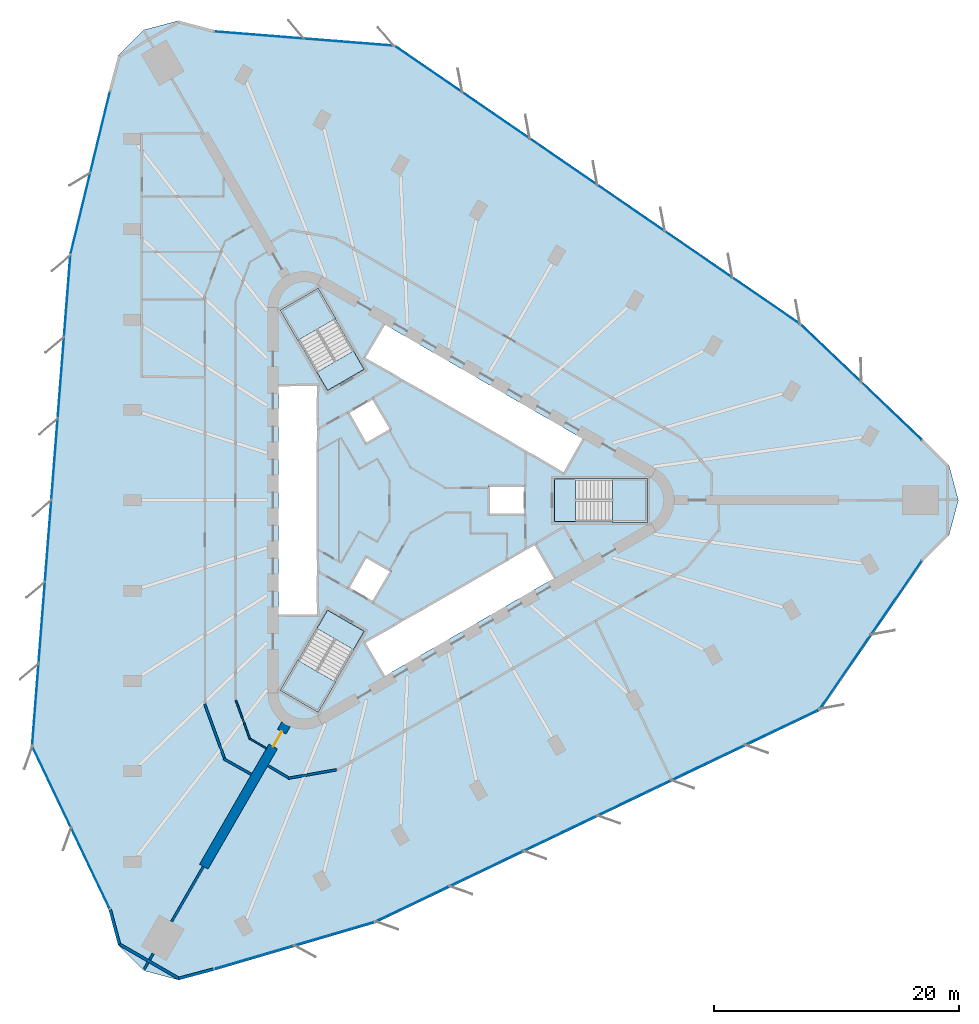
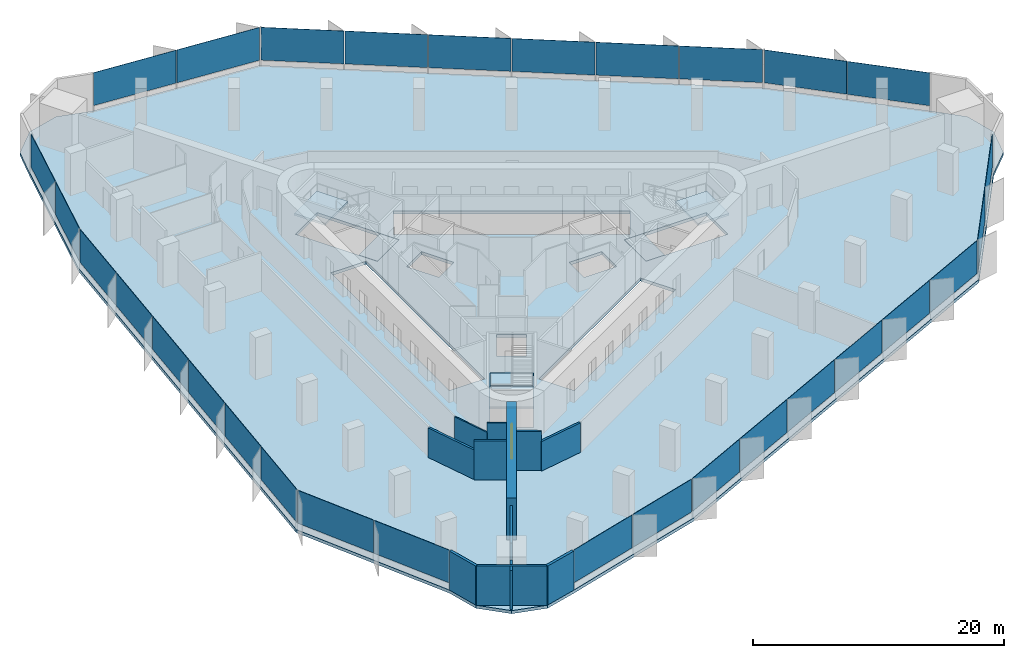
# One storey, part 8 of 14: 30 plates, 13 walls, 7 slabs, 1 door, 1 opening, 12 elements without a shape of their own.
"""IFC4 building model written with IfcOpenShell, lengths in metres."""

from ifc_helpers import new_model, si_unit, direction, frame, frame_2d, origin, origin_2d, place, context, subcontext, project, spatial, polyline, rectangle, outline, extrude, material, layer, layer_set, type_object, element, fill, aggregate, save


model = new_model("IFC4")

# Units and contexts
model_context = context("Model", 3, precision=1e-05, world=origin(), true_north=direction((0.0, 1.0)))
body_context = subcontext(model_context, "Body", "Model", "MODEL_VIEW")
ifc_project = project(units=[si_unit("LENGTHUNIT", "METRE"), si_unit("AREAUNIT", "SQUARE_METRE"), si_unit("VOLUMEUNIT", "CUBIC_METRE"), si_unit("PLANEANGLEUNIT", "RADIAN"), si_unit("MASSUNIT", "GRAM", prefix="KILO")], contexts=[model_context])

# Site, building, storey
site_placement = place(None, origin())
site = spatial("IfcSite", under=ifc_project, at=site_placement, CompositionType="ELEMENT")
building_placement = place(site_placement, origin())
building = spatial("IfcBuilding", under=site, at=building_placement, Name="Tanit Gate Tower", CompositionType="ELEMENT")
storey_placement = place(building_placement, frame((0.0, 0.0, 90.60009765625)))
storey = spatial("IfcBuildingStorey", under=building, at=storey_placement, Name="L18", CompositionType="ELEMENT", Elevation=90.60009765625)

# Slab
ifc_material_1 = material(Name="Concrete C35/45", Category="concrete")
ifc_layer_1 = layer(ifc_material_1, 0.300048828125)
ifc_layer_set_1 = layer_set([ifc_layer_1], Name="FLOOR SLAB 300 C35/45")
slab_type_1 = type_object("IfcSlabType", Name="FLOOR SLAB 300 C35/45", PredefinedType="FLOOR", material=ifc_layer_set_1)
slab_1_placement = place(storey_placement, frame((0.0, 0.0, -0.300048828125)))
element("IfcSlab", 1, at=slab_1_placement, inside=storey, type_object=slab_type_1, Name="FLOOR SLAB L18", PredefinedType="FLOOR", context=body_context, shape_type="SweptSolid", body=[
    extrude(outline(polyline([(41.55078125, 4.966796875), (43.64990234375, 2.86767578125), (44.41845703125, 0.0), (43.64990234375, -2.86767578125), (41.55078125, -4.966796875), (33.13671875, -17.19384765625), (-3.24462890625, -34.580810546875), (-16.473876953125, -38.46728515625), (-19.341552734375, -39.23583984375), (-22.209228515625, -38.46728515625), (-24.308349609375, -36.3681640625), (-25.076904296875, -33.50048828125), (-31.458740234375, -20.100341796875), (-28.32568359375, 20.100341796875), (-25.076904296875, 33.50048828125), (-24.308349609375, 36.3681640625), (-22.209228515625, 38.46728515625), (-19.341552734375, 39.23583984375), (-16.473876953125, 38.46728515625), (-1.677978515625, 37.294189453125), (31.5703125, 14.48046875), (41.55078125, 4.966796875)]), holes=[polyline([(11.3701171875, 1.72998046875), (18.929931640625, 1.72998046875), (18.929931640625, -1.72998046875), (11.3701171875, -1.72998046875), (11.3701171875, 1.72998046875)]), polyline([(-4.208984375, 11.60986328125), (-2.583984375, 14.424560546875), (13.783935546875, 4.974609375), (12.158935546875, 2.159912109375), (-4.208984375, 11.60986328125)]), polyline([(-4.208984375, -11.60986328125), (9.82080078125, -3.510009765625), (11.44580078125, -6.324462890625), (-2.583984375, -14.424560546875), (-4.208984375, -11.60986328125)]), polyline([(9.0, 1.199951171875), (9.0, -1.199951171875), (6.0, -1.199951171875), (6.0, 1.199951171875), (9.0, 1.199951171875)]), polyline([(-5.539306640625, 7.194091796875), (-3.460693359375, 8.394287109375), (-1.960693359375, 5.796142578125), (-4.039306640625, 4.59619140625), (-5.539306640625, 7.194091796875)]), polyline([(-1.960693359375, -5.796142578125), (-3.460693359375, -8.394287109375), (-5.539306640625, -7.194091796875), (-4.039306640625, -4.59619140625), (-1.960693359375, -5.796142578125)]), polyline([(-10.963134765625, 15.52880859375), (-7.966796875, 17.2587890625), (-4.186767578125, 10.711669921875), (-7.18310546875, 8.981689453125), (-10.963134765625, 15.52880859375)]), polyline([(-4.186767578125, -10.711669921875), (-7.966796875, -17.2587890625), (-10.963134765625, -15.52880859375), (-7.18310546875, -8.981689453125), (-4.186767578125, -10.711669921875)]), polyline([(-11.199951171875, -9.449951171875), (-11.199951171875, 9.449951171875), (-7.949951171875, 9.449951171875), (-7.949951171875, -9.449951171875), (-11.199951171875, -9.449951171875)])]), origin(), (0.0, 0.0, 1.0), 0.300048828125),
])

# Curtain wall, plates
ifc_material_2 = material(Name="Aluminium bronze anodised and glass", Category="aluminium")
curtain_wall_type = type_object("IfcCurtainWallType", Name="Curtain wall typical low", PredefinedType="NOTDEFINED", material=ifc_material_2)
curtain_wall_1_placement = place(storey_placement, origin())
curtain_wall_1 = element("IfcCurtainWall", 2, at=curtain_wall_1_placement, inside=storey, type_object=curtain_wall_type, Name="Curtain wall L18 NE1", PredefinedType="NOTDEFINED")
ifc_material_3 = material(Name="Glass tinted", Category="glass")
ifc_layer_2 = layer(ifc_material_3, 0.031982421875)
ifc_layer_set_2 = layer_set([ifc_layer_2], Name="Glass panel 32 typical low")
plate_type = type_object("IfcPlateType", Name="Glass panel 32 typical low", PredefinedType="CURTAIN_PANEL", material=ifc_layer_set_2)
plate_1_placement = place(storey_placement, frame((38.959228515625, 7.271240234375, 0.60009765625), z_axis=(0.0, 0.0, 1.0), x_axis=(-0.723833901773, 0.689974262306, 0.0)))
plate_1 = element("IfcPlate", 3, at=plate_1_placement, type_object=plate_type, Name="Glass panel L18 NE1.1", PredefinedType="CURTAIN_PANEL", context=body_context, shape_type="SweptSolid", body=[
    extrude(rectangle(XDim=6.768798828125, YDim=0.031982421875, at=origin_2d()), origin(), (0.0, 0.0, 1.0), 3.199951171875),
])
plate_2_placement = place(storey_placement, frame((34.001953125, 11.996826171875, 0.60009765625), z_axis=(0.0, 0.0, 1.0), x_axis=(-0.723833901773, 0.689974262306, 0.0)))
plate_2 = element("IfcPlate", 4, at=plate_2_placement, type_object=plate_type, Name="Glass panel L18 NE1.2", PredefinedType="CURTAIN_PANEL", context=body_context, shape_type="SweptSolid", body=[
    extrude(rectangle(XDim=6.768798828125, YDim=0.031982421875, at=origin_2d()), origin(), (0.0, 0.0, 1.0), 3.199951171875),
])
aggregate(curtain_wall_1, [plate_1, plate_2])

curtain_wall_2_placement = place(storey_placement, origin())
curtain_wall_2 = element("IfcCurtainWall", 5, at=curtain_wall_2_placement, inside=storey, type_object=curtain_wall_type, Name="Curtain wall L18 NE2", PredefinedType="NOTDEFINED")
plate_3_placement = place(storey_placement, frame((28.698974609375, 16.304931640625, 0.60009765625), z_axis=(0.0, 0.0, 1.0), x_axis=(-0.824556572821, 0.565779513784, 0.0)))
plate_3 = element("IfcPlate", 6, at=plate_3_placement, type_object=plate_type, Name="Glass panel L18 NE2.1", PredefinedType="CURTAIN_PANEL", context=body_context, shape_type="SweptSolid", body=[
    extrude(rectangle(XDim=6.6201171875, YDim=0.031982421875, at=origin_2d()), origin(), (0.0, 0.0, 1.0), 3.199951171875),
])
plate_4_placement = place(storey_placement, frame((23.17431640625, 20.095947265625, 0.60009765625), z_axis=(0.0, 0.0, 1.0), x_axis=(-0.824556572821, 0.565779513784, 0.0)))
plate_4 = element("IfcPlate", 7, at=plate_4_placement, type_object=plate_type, Name="Glass panel L18 NE2.2", PredefinedType="CURTAIN_PANEL", context=body_context, shape_type="SweptSolid", body=[
    extrude(rectangle(XDim=6.6201171875, YDim=0.031982421875, at=origin_2d()), origin(), (0.0, 0.0, 1.0), 3.199951171875),
])
plate_5_placement = place(storey_placement, frame((17.64990234375, 23.88671875, 0.60009765625), z_axis=(0.0, 0.0, 1.0), x_axis=(-0.824556572821, 0.565779513784, 0.0)))
plate_5 = element("IfcPlate", 8, at=plate_5_placement, type_object=plate_type, Name="Glass panel L18 NE2.3", PredefinedType="CURTAIN_PANEL", context=body_context, shape_type="SweptSolid", body=[
    extrude(rectangle(XDim=6.6201171875, YDim=0.031982421875, at=origin_2d()), origin(), (0.0, 0.0, 1.0), 3.199951171875),
])
plate_6_placement = place(storey_placement, frame((12.125244140625, 27.677490234375, 0.60009765625), z_axis=(0.0, 0.0, 1.0), x_axis=(-0.824556572821, 0.565779513784, 0.0)))
plate_6 = element("IfcPlate", 9, at=plate_6_placement, type_object=plate_type, Name="Glass panel L18 NE2.4", PredefinedType="CURTAIN_PANEL", context=body_context, shape_type="SweptSolid", body=[
    extrude(rectangle(XDim=6.6201171875, YDim=0.031982421875, at=origin_2d()), origin(), (0.0, 0.0, 1.0), 3.199951171875),
])
plate_7_placement = place(storey_placement, frame((6.6005859375, 31.46826171875, 0.60009765625), z_axis=(0.0, 0.0, 1.0), x_axis=(-0.824556572821, 0.565779513784, 0.0)))
plate_7 = element("IfcPlate", 10, at=plate_7_placement, type_object=plate_type, Name="Glass panel L18 NE2.5", PredefinedType="CURTAIN_PANEL", context=body_context, shape_type="SweptSolid", body=[
    extrude(rectangle(XDim=6.6201171875, YDim=0.031982421875, at=origin_2d()), origin(), (0.0, 0.0, 1.0), 3.199951171875),
])
plate_8_placement = place(storey_placement, frame((1.075927734375, 35.259033203125, 0.60009765625), z_axis=(0.0, 0.0, 1.0), x_axis=(-0.824556572821, 0.565779513784, 0.0)))
plate_8 = element("IfcPlate", 11, at=plate_8_placement, type_object=plate_type, Name="Glass panel L18 NE2.6", PredefinedType="CURTAIN_PANEL", context=body_context, shape_type="SweptSolid", body=[
    extrude(rectangle(XDim=6.6201171875, YDim=0.031982421875, at=origin_2d()), origin(), (0.0, 0.0, 1.0), 3.199951171875),
])
aggregate(curtain_wall_2, [plate_3, plate_4, plate_5, plate_6, plate_7, plate_8])

curtain_wall_3_placement = place(storey_placement, origin())
curtain_wall_3 = element("IfcCurtainWall", 12, at=curtain_wall_3_placement, inside=storey, type_object=curtain_wall_type, Name="Curtain wall L18 NE3", PredefinedType="NOTDEFINED")
plate_9_placement = place(storey_placement, frame((-5.43310546875, 37.4716796875, 0.60009765625), z_axis=(0.0, 0.0, 1.0), x_axis=(-0.99687105921, 0.079044868964, 0.0)))
plate_9 = element("IfcPlate", 13, at=plate_9_placement, type_object=plate_type, Name="Glass panel L18 NE3.1", PredefinedType="CURTAIN_PANEL", context=body_context, shape_type="SweptSolid", body=[
    extrude(rectangle(XDim=7.29052734375, YDim=0.031982421875, at=origin_2d()), origin(), (0.0, 0.0, 1.0), 3.199951171875),
])
plate_10_placement = place(storey_placement, frame((-12.78076171875, 38.05419921875, 0.60009765625), z_axis=(0.0, 0.0, 1.0), x_axis=(-0.99687105921, 0.079044868964, 0.0)))
plate_10 = element("IfcPlate", 14, at=plate_10_placement, type_object=plate_type, Name="Glass panel L18 NE3.2", PredefinedType="CURTAIN_PANEL", context=body_context, shape_type="SweptSolid", body=[
    extrude(rectangle(XDim=7.290771484375, YDim=0.031982421875, at=origin_2d()), origin(), (0.0, 0.0, 1.0), 3.199951171875),
])
aggregate(curtain_wall_3, [plate_9, plate_10])

curtain_wall_4_placement = place(storey_placement, origin())
curtain_wall_4 = element("IfcCurtainWall", 15, at=curtain_wall_4_placement, inside=storey, type_object=curtain_wall_type, Name="Curtain wall L18 W1", PredefinedType="NOTDEFINED")
plate_11_placement = place(storey_placement, frame((-25.77685546875, 30.10400390625, 0.60009765625), z_axis=(0.0, 0.0, 1.0), x_axis=(-0.235618288228, -0.971845678209, 0.0)))
plate_11 = element("IfcPlate", 16, at=plate_11_placement, type_object=plate_type, Name="Glass panel L18 W1.1", PredefinedType="CURTAIN_PANEL", context=body_context, shape_type="SweptSolid", body=[
    extrude(rectangle(XDim=6.768798828125, YDim=0.031982421875, at=origin_2d()), origin(), (0.0, 0.0, 1.0), 3.199951171875),
])
plate_12_placement = place(storey_placement, frame((-27.390380859375, 23.4482421875, 0.60009765625), z_axis=(0.0, 0.0, 1.0), x_axis=(-0.235618288228, -0.971845678209, 0.0)))
plate_12 = element("IfcPlate", 17, at=plate_12_placement, type_object=plate_type, Name="Glass panel L18 W1.2", PredefinedType="CURTAIN_PANEL", context=body_context, shape_type="SweptSolid", body=[
    extrude(rectangle(XDim=6.768798828125, YDim=0.031982421875, at=origin_2d()), origin(), (0.0, 0.0, 1.0), 3.199951171875),
])
aggregate(curtain_wall_4, [plate_11, plate_12])

curtain_wall_5_placement = place(storey_placement, origin())
curtain_wall_5 = element("IfcCurtainWall", 18, at=curtain_wall_5_placement, inside=storey, type_object=curtain_wall_type, Name="Curtain wall L18 W2", PredefinedType="NOTDEFINED")
plate_13_placement = place(storey_placement, frame((-28.47021484375, 16.70166015625, 0.60009765625), z_axis=(0.0, 0.0, 1.0), x_axis=(-0.077701145467, -0.996976695812, 0.0)))
plate_13 = element("IfcPlate", 19, at=plate_13_placement, type_object=plate_type, Name="Glass panel L18 W2.1", PredefinedType="CURTAIN_PANEL", context=body_context, shape_type="SweptSolid", body=[
    extrude(rectangle(XDim=6.6201171875, YDim=0.031982421875, at=origin_2d()), origin(), (0.0, 0.0, 1.0), 3.199951171875),
])
plate_14_placement = place(storey_placement, frame((-28.99072265625, 10.021728515625, 0.60009765625), z_axis=(0.0, 0.0, 1.0), x_axis=(-0.077701145467, -0.996976695812, 0.0)))
plate_14 = element("IfcPlate", 20, at=plate_14_placement, type_object=plate_type, Name="Glass panel L18 W2.2", PredefinedType="CURTAIN_PANEL", context=body_context, shape_type="SweptSolid", body=[
    extrude(rectangle(XDim=6.6201171875, YDim=0.031982421875, at=origin_2d()), origin(), (0.0, 0.0, 1.0), 3.199951171875),
])
plate_15_placement = place(storey_placement, frame((-29.51123046875, 3.341796875, 0.60009765625), z_axis=(0.0, 0.0, 1.0), x_axis=(-0.077701145467, -0.996976695812, 0.0)))
plate_15 = element("IfcPlate", 21, at=plate_15_placement, type_object=plate_type, Name="Glass panel L18 W2.3", PredefinedType="CURTAIN_PANEL", context=body_context, shape_type="SweptSolid", body=[
    extrude(rectangle(XDim=6.6201171875, YDim=0.031982421875, at=origin_2d()), origin(), (0.0, 0.0, 1.0), 3.199951171875),
])
plate_16_placement = place(storey_placement, frame((-30.031982421875, -3.338134765625, 0.60009765625), z_axis=(0.0, 0.0, 1.0), x_axis=(-0.077701145467, -0.996976695812, 0.0)))
plate_16 = element("IfcPlate", 22, at=plate_16_placement, type_object=plate_type, Name="Glass panel L18 W2.4", PredefinedType="CURTAIN_PANEL", context=body_context, shape_type="SweptSolid", body=[
    extrude(rectangle(XDim=6.6201171875, YDim=0.031982421875, at=origin_2d()), origin(), (0.0, 0.0, 1.0), 3.199951171875),
])
plate_17_placement = place(storey_placement, frame((-30.552490234375, -10.01806640625, 0.60009765625), z_axis=(0.0, 0.0, 1.0), x_axis=(-0.077701145467, -0.996976695812, 0.0)))
plate_17 = element("IfcPlate", 23, at=plate_17_placement, type_object=plate_type, Name="Glass panel L18 W2.5", PredefinedType="CURTAIN_PANEL", context=body_context, shape_type="SweptSolid", body=[
    extrude(rectangle(XDim=6.6201171875, YDim=0.031982421875, at=origin_2d()), origin(), (0.0, 0.0, 1.0), 3.199951171875),
])
plate_18_placement = place(storey_placement, frame((-31.0732421875, -16.69775390625, 0.60009765625), z_axis=(0.0, 0.0, 1.0), x_axis=(-0.077701145467, -0.996976695812, 0.0)))
plate_18 = element("IfcPlate", 24, at=plate_18_placement, type_object=plate_type, Name="Glass panel L18 W2.6", PredefinedType="CURTAIN_PANEL", context=body_context, shape_type="SweptSolid", body=[
    extrude(rectangle(XDim=6.6201171875, YDim=0.031982421875, at=origin_2d()), origin(), (0.0, 0.0, 1.0), 3.199951171875),
])
aggregate(curtain_wall_5, [plate_13, plate_14, plate_15, plate_16, plate_17, plate_18])

curtain_wall_6_placement = place(storey_placement, origin())
curtain_wall_6 = element("IfcCurtainWall", 25, at=curtain_wall_6_placement, inside=storey, type_object=curtain_wall_type, Name="Curtain wall L18 W3", PredefinedType="NOTDEFINED")
plate_19_placement = place(storey_placement, frame((-29.73486328125, -23.44091796875, 0.60009765625), z_axis=(0.0, 0.0, 1.0), x_axis=(0.429980665043, -0.902838096055, 0.0)))
plate_19 = element("IfcPlate", 26, at=plate_19_placement, type_object=plate_type, Name="Glass panel L18 W3.1", PredefinedType="CURTAIN_PANEL", context=body_context, shape_type="SweptSolid", body=[
    extrude(rectangle(XDim=7.29052734375, YDim=0.031982421875, at=origin_2d()), origin(), (0.0, 0.0, 1.0), 3.199951171875),
])
plate_20_placement = place(storey_placement, frame((-26.5654296875, -30.095458984375, 0.60009765625), z_axis=(0.0, 0.0, 1.0), x_axis=(0.429980665043, -0.902838096055, 0.0)))
plate_20 = element("IfcPlate", 27, at=plate_20_placement, type_object=plate_type, Name="Glass panel L18 W3.2", PredefinedType="CURTAIN_PANEL", context=body_context, shape_type="SweptSolid", body=[
    extrude(rectangle(XDim=7.290771484375, YDim=0.031982421875, at=origin_2d()), origin(), (0.0, 0.0, 1.0), 3.199951171875),
])
aggregate(curtain_wall_6, [plate_19, plate_20])

curtain_wall_7_placement = place(storey_placement, origin())
curtain_wall_7 = element("IfcCurtainWall", 28, at=curtain_wall_7_placement, inside=storey, type_object=curtain_wall_type, Name="Curtain wall L18 SE1", PredefinedType="NOTDEFINED")
plate_21_placement = place(storey_placement, frame((-13.1826171875, -37.37548828125, 0.60009765625), z_axis=(0.0, 0.0, 1.0), x_axis=(0.959452190001, 0.281871415903, 0.0)))
plate_21 = element("IfcPlate", 29, at=plate_21_placement, type_object=plate_type, Name="Glass panel L18 SE1.1", PredefinedType="CURTAIN_PANEL", context=body_context, shape_type="SweptSolid", body=[
    extrude(rectangle(XDim=6.768798828125, YDim=0.031982421875, at=origin_2d()), origin(), (0.0, 0.0, 1.0), 3.199951171875),
])
plate_22_placement = place(storey_placement, frame((-6.611572265625, -35.44482421875, 0.60009765625), z_axis=(0.0, 0.0, 1.0), x_axis=(0.959452190001, 0.281871415903, 0.0)))
plate_22 = element("IfcPlate", 30, at=plate_22_placement, type_object=plate_type, Name="Glass panel L18 SE1.2", PredefinedType="CURTAIN_PANEL", context=body_context, shape_type="SweptSolid", body=[
    extrude(rectangle(XDim=6.768798828125, YDim=0.031982421875, at=origin_2d()), origin(), (0.0, 0.0, 1.0), 3.199951171875),
])
aggregate(curtain_wall_7, [plate_21, plate_22])

curtain_wall_8_placement = place(storey_placement, origin())
curtain_wall_8 = element("IfcCurtainWall", 31, at=curtain_wall_8_placement, inside=storey, type_object=curtain_wall_type, Name="Curtain wall L18 SE2", PredefinedType="NOTDEFINED")
plate_23_placement = place(storey_placement, frame((-0.22900390625, -33.006591796875, 0.60009765625), z_axis=(0.0, 0.0, 1.0), x_axis=(0.902257718288, 0.431197182029, 0.0)))
plate_23 = element("IfcPlate", 32, at=plate_23_placement, type_object=plate_type, Name="Glass panel L18 SE2.1", PredefinedType="CURTAIN_PANEL", context=body_context, shape_type="SweptSolid", body=[
    extrude(rectangle(XDim=6.6201171875, YDim=0.031982421875, at=origin_2d()), origin(), (0.0, 0.0, 1.0), 3.199951171875),
])
plate_24_placement = place(storey_placement, frame((5.81640625, -30.11767578125, 0.60009765625), z_axis=(0.0, 0.0, 1.0), x_axis=(0.902257718288, 0.431197182029, 0.0)))
plate_24 = element("IfcPlate", 33, at=plate_24_placement, type_object=plate_type, Name="Glass panel L18 SE2.2", PredefinedType="CURTAIN_PANEL", context=body_context, shape_type="SweptSolid", body=[
    extrude(rectangle(XDim=6.6201171875, YDim=0.031982421875, at=origin_2d()), origin(), (0.0, 0.0, 1.0), 3.199951171875),
])
plate_25_placement = place(storey_placement, frame((11.861572265625, -27.228515625, 0.60009765625), z_axis=(0.0, 0.0, 1.0), x_axis=(0.902257718288, 0.431197182029, 0.0)))
plate_25 = element("IfcPlate", 34, at=plate_25_placement, type_object=plate_type, Name="Glass panel L18 SE2.3", PredefinedType="CURTAIN_PANEL", context=body_context, shape_type="SweptSolid", body=[
    extrude(rectangle(XDim=6.6201171875, YDim=0.031982421875, at=origin_2d()), origin(), (0.0, 0.0, 1.0), 3.199951171875),
])
plate_26_placement = place(storey_placement, frame((17.90673828125, -24.33935546875, 0.60009765625), z_axis=(0.0, 0.0, 1.0), x_axis=(0.902257718288, 0.431197182029, 0.0)))
plate_26 = element("IfcPlate", 35, at=plate_26_placement, type_object=plate_type, Name="Glass panel L18 SE2.4", PredefinedType="CURTAIN_PANEL", context=body_context, shape_type="SweptSolid", body=[
    extrude(rectangle(XDim=6.6201171875, YDim=0.031982421875, at=origin_2d()), origin(), (0.0, 0.0, 1.0), 3.199951171875),
])
plate_27_placement = place(storey_placement, frame((23.9521484375, -21.450439453125, 0.60009765625), z_axis=(0.0, 0.0, 1.0), x_axis=(0.902257718288, 0.431197182029, 0.0)))
plate_27 = element("IfcPlate", 36, at=plate_27_placement, type_object=plate_type, Name="Glass panel L18 SE2.5", PredefinedType="CURTAIN_PANEL", context=body_context, shape_type="SweptSolid", body=[
    extrude(rectangle(XDim=6.6201171875, YDim=0.031982421875, at=origin_2d()), origin(), (0.0, 0.0, 1.0), 3.199951171875),
])
plate_28_placement = place(storey_placement, frame((29.997314453125, -18.561279296875, 0.60009765625), z_axis=(0.0, 0.0, 1.0), x_axis=(0.902257718288, 0.431197182029, 0.0)))
plate_28 = element("IfcPlate", 37, at=plate_28_placement, type_object=plate_type, Name="Glass panel L18 SE2.6", PredefinedType="CURTAIN_PANEL", context=body_context, shape_type="SweptSolid", body=[
    extrude(rectangle(XDim=6.6201171875, YDim=0.031982421875, at=origin_2d()), origin(), (0.0, 0.0, 1.0), 3.199951171875),
])
aggregate(curtain_wall_8, [plate_23, plate_24, plate_25, plate_26, plate_27, plate_28])

curtain_wall_9_placement = place(storey_placement, origin())
curtain_wall_9 = element("IfcCurtainWall", 38, at=curtain_wall_9_placement, inside=storey, type_object=curtain_wall_type, Name="Curtain wall L18 SE3", PredefinedType="NOTDEFINED")
plate_29_placement = place(storey_placement, frame((35.16796875, -14.030517578125, 0.60009765625), z_axis=(0.0, 0.0, 1.0), x_axis=(0.566890394167, 0.823793227091, 0.0)))
plate_29 = element("IfcPlate", 39, at=plate_29_placement, type_object=plate_type, Name="Glass panel L18 SE3.1", PredefinedType="CURTAIN_PANEL", context=body_context, shape_type="SweptSolid", body=[
    extrude(rectangle(XDim=7.29052734375, YDim=0.031982421875, at=origin_2d()), origin(), (0.0, 0.0, 1.0), 3.199951171875),
])
plate_30_placement = place(storey_placement, frame((39.34619140625, -7.958740234375, 0.60009765625), z_axis=(0.0, 0.0, 1.0), x_axis=(0.566890394167, 0.823793227091, 0.0)))
plate_30 = element("IfcPlate", 40, at=plate_30_placement, type_object=plate_type, Name="Glass panel L18 SE3.2", PredefinedType="CURTAIN_PANEL", context=body_context, shape_type="SweptSolid", body=[
    extrude(rectangle(XDim=7.290771484375, YDim=0.031982421875, at=origin_2d()), origin(), (0.0, 0.0, 1.0), 3.199951171875),
])
aggregate(curtain_wall_9, [plate_29, plate_30])

# Stair, slab
ifc_material_4 = material(Name="Concrete C40/50", Category="concrete")
stair_type = type_object("IfcStairType", Name="INT-STAIR-EXIT", PredefinedType="HALF_TURN_STAIR", material=ifc_material_4)
stair_1_placement = place(storey_placement, origin())
stair_1 = element("IfcStair", 41, at=stair_1_placement, inside=storey, type_object=stair_type, Name="L18 STAIR S1", PredefinedType="HALF_TURN_STAIR")
ifc_material_5 = material(Name="Concrete C40/50", Category="concrete")
ifc_layer_3 = layer(ifc_material_5, 0.199951171875)
ifc_layer_set_3 = layer_set([ifc_layer_3], Name="INT-STAIR-LANDING")
slab_type_2 = type_object("IfcSlabType", Name="INT-STAIR-LANDING", PredefinedType="LANDING", material=ifc_layer_set_3)
slab_2_placement = place(storey_placement, frame((0.0, 0.0, 1.849853515625)))
slab_2 = element("IfcSlab", 42, at=slab_2_placement, type_object=slab_type_2, Name="S1 landing 1", PredefinedType="LANDING", context=body_context, shape_type="SweptSolid", body=[
    extrude(outline(polyline([(16.135986328125, -1.800048828125), (19.0, -1.800048828125), (19.0, 1.800048828125), (16.135986328125, 1.800048828125), (16.135986328125, -1.800048828125)])), origin(), (0.0, 0.0, 1.0), 0.199951171875),
])
aggregate(stair_1, [slab_2])

# Slab
slab_3_placement = place(storey_placement, frame((0.0, 0.0, -0.2001953125)))
element("IfcSlab", 43, at=slab_3_placement, inside=storey, type_object=slab_type_2, Name="S1 floor landing", PredefinedType="LANDING", context=body_context, shape_type="SweptSolid", body=[
    extrude(outline(polyline([(11.3798828125, -1.719970703125), (13.10498046875, -1.719970703125), (13.10498046875, 1.719970703125), (11.3798828125, 1.719970703125), (11.3798828125, -1.719970703125)])), origin(), (0.0, 0.0, 1.0), 0.2001953125),
])

# Stair, slab
stair_2_placement = place(storey_placement, origin())
stair_2 = element("IfcStair", 44, at=stair_2_placement, inside=storey, type_object=stair_type, Name="L18 STAIR S2", PredefinedType="HALF_TURN_STAIR")
slab_4_placement = place(storey_placement, frame((0.0, 0.0, 1.849853515625)))
slab_4 = element("IfcSlab", 45, at=slab_4_placement, type_object=slab_type_2, Name="S2 landing 1", PredefinedType="LANDING", context=body_context, shape_type="SweptSolid", body=[
    extrude(outline(polyline([(-6.5078125, 14.871826171875), (-7.941162109375, 17.3544921875), (-11.058837890625, 15.554443359375), (-9.62548828125, 13.07177734375), (-6.5078125, 14.871826171875)])), origin(), (0.0, 0.0, 1.0), 0.199951171875),
])
aggregate(stair_2, [slab_4])

# Slab
slab_5_placement = place(storey_placement, frame((0.0, 0.0, -0.2001953125)))
element("IfcSlab", 46, at=slab_5_placement, inside=storey, type_object=slab_type_2, Name="S2 floor landing", PredefinedType="LANDING", context=body_context, shape_type="SweptSolid", body=[
    extrude(outline(polyline([(-4.200439453125, 10.71533203125), (-5.0625, 12.20849609375), (-8.04150390625, 10.48828125), (-7.179443359375, 8.995361328125), (-4.200439453125, 10.71533203125)])), origin(), (0.0, 0.0, 1.0), 0.2001953125),
])

# Stair, slab
stair_3_placement = place(storey_placement, origin())
stair_3 = element("IfcStair", 47, at=stair_3_placement, inside=storey, type_object=stair_type, Name="L18 STAIR S3", PredefinedType="HALF_TURN_STAIR")
slab_6_placement = place(storey_placement, frame((0.0, 0.0, 1.849853515625)))
slab_6 = element("IfcSlab", 48, at=slab_6_placement, type_object=slab_type_2, Name="S3 landing 1", PredefinedType="LANDING", context=body_context, shape_type="SweptSolid", body=[
    extrude(outline(polyline([(-9.626953125, -13.07421875), (-11.058837890625, -15.554443359375), (-7.941162109375, -17.3544921875), (-6.509033203125, -14.874267578125), (-9.626953125, -13.07421875)])), origin(), (0.0, 0.0, 1.0), 0.199951171875),
])
aggregate(stair_3, [slab_6])

# Slab
slab_7_placement = place(storey_placement, frame((0.0, 0.0, -0.2001953125)))
element("IfcSlab", 49, at=slab_7_placement, inside=storey, type_object=slab_type_2, Name="S3 floor landing", PredefinedType="LANDING", context=body_context, shape_type="SweptSolid", body=[
    extrude(outline(polyline([(-7.179443359375, -8.995361328125), (-8.0419921875, -10.4892578125), (-5.06298828125, -12.209228515625), (-4.200439453125, -10.71533203125), (-7.179443359375, -8.995361328125)])), origin(), (0.0, 0.0, 1.0), 0.2001953125),
])

# Wall, opening, door
ifc_material_6 = material(Name="Concrete C60/75", Category="concrete")
ifc_layer_4 = layer(ifc_material_6, 0.800048828125)
ifc_layer_set_4 = layer_set([ifc_layer_4], Name="BUTTRESS FIN 800 C60/75")
wall_type_1 = type_object("IfcWallType", Name="BUTTRESS FIN 800 C60/75", PredefinedType="SHEAR", material=ifc_layer_set_4)
wall_1_placement = place(storey_placement, frame((-10.574951171875, -18.31640625, 0.0), z_axis=(0.0, 0.0, 1.0), x_axis=(-0.499995223427, -0.866028161523, 0.0)))
wall_1 = element("IfcWall", 50, at=wall_1_placement, inside=storey, type_object=wall_type_1, Name="BUTTRESS FIN", PredefinedType="SHEAR", context=body_context, shape_type="SweptSolid", body=[
    extrude(rectangle(XDim=13.455322265625, YDim=0.800048828125, at=frame_2d((6.7275390625, 0.0))), origin(), (0.0, 0.0, 1.0), 4.099853515625),
])
opening_placement = place(wall_1_placement, frame((0.699951171875, 0.0, 0.0)))
opening = element("IfcOpeningElement", 51, at=opening_placement, cuts=wall_1, Name="Opening P14-S03-F-SW-1", PredefinedType="OPENING", context=body_context, shape_type="SweptSolid", body=[
    extrude(rectangle(XDim=1.39990234375, YDim=2.39990234375, at=frame_2d((0.699951171875, 1.199951171875))), frame((0.0, 0.41015625, 0.0), z_axis=(0.0, -1.0, 0.0), x_axis=(1.0, 0.0, 0.0)), (0.0, 0.0, 1.0), 0.820068359375),
])
ifc_material_7 = material(Name="Timber door leaf", Category="wood")
door_type = type_object("IfcDoorType", Name="INT-DOOR-FIN-PAIR-1400", OperationType="NOTDEFINED", PredefinedType="NOTDEFINED", material=ifc_material_7)
door_placement = place(opening_placement, origin())
door = element("IfcDoor", 52, at=door_placement, inside=storey, type_object=door_type, Name="Door P14-S03-F-SW-1", OperationType="DOUBLE_DOOR_SINGLE_SWING", OverallHeight=2.39990234375, OverallWidth=1.39990234375, PredefinedType="NOTDEFINED", context=body_context, shape_type="SweptSolid", body=[
    extrude(rectangle(XDim=1.39990234375, YDim=2.39990234375, at=frame_2d((0.699951171875, 1.199951171875))), frame((0.0, 0.02490234375, 0.0), z_axis=(0.0, -1.0, 0.0), x_axis=(1.0, 0.0, 0.0)), (0.0, 0.0, 1.0), 0.050048828125),
])
fill(opening, door)

# Walls
ifc_material_8 = material(Name="Concrete C30/37 with bronze anodised aluminium cladding", Category="concrete")
ifc_layer_5 = layer(ifc_material_8, 0.239990234375)
ifc_layer_set_5 = layer_set([ifc_layer_5], Name="Facade wall bronze clad 240")
wall_type_2 = type_object("IfcWallType", Name="Facade wall bronze clad 240", PredefinedType="SOLIDWALL", material=ifc_layer_set_5)
wall_2_placement = place(storey_placement, frame((-24.963623046875, -33.458984375, 0.0), z_axis=(0.0, 0.0, 1.0), x_axis=(0.25875540601, -0.965942876086, 0.0)))
element("IfcWall", 53, at=wall_2_placement, inside=storey, type_object=wall_type_2, Name="Bronze-clad facade wall L18 SW.arc1", PredefinedType="SOLIDWALL", context=body_context, shape_type="SweptSolid", body=[
    extrude(rectangle(XDim=2.947509765625, YDim=0.239990234375, at=frame_2d((1.4736328125, 0.0))), origin(), (0.0, 0.0, 1.0), 3.7998046875),
])
wall_3_placement = place(storey_placement, frame((-24.200927734375, -36.30615234375, 0.0), z_axis=(0.0, 0.0, 1.0), x_axis=(0.866036326607, -0.499981080639, 0.0)))
element("IfcWall", 54, at=wall_3_placement, inside=storey, type_object=wall_type_2, Name="Bronze-clad facade wall L18 SW.arc2", PredefinedType="SOLIDWALL", context=body_context, shape_type="SweptSolid", body=[
    extrude(rectangle(XDim=5.611083984375, YDim=0.239990234375, at=frame_2d((2.8056640625, 0.0))), origin(), (0.0, 0.0, 1.0), 3.7998046875),
])
wall_4_placement = place(storey_placement, frame((-19.341552734375, -39.111572265625, 0.0), z_axis=(0.0, 0.0, 1.0), x_axis=(0.965919462467, 0.258842794041, 0.0)))
element("IfcWall", 55, at=wall_4_placement, inside=storey, type_object=wall_type_2, Name="Bronze-clad facade wall L18 SW.arc3", PredefinedType="SOLIDWALL", context=body_context, shape_type="SweptSolid", body=[
    extrude(rectangle(XDim=2.935302734375, YDim=0.239990234375, at=frame_2d((1.4677734375, 0.0))), origin(), (0.0, 0.0, 1.0), 3.7998046875),
])
ifc_material_9 = material(Name="Fire-rated gypsum board partition")
ifc_layer_6 = layer(ifc_material_9, 0.199951171875)
ifc_layer_set_6 = layer_set([ifc_layer_6], Name="INT-WALL-COMPARTMENT")
wall_type_3 = type_object("IfcWallType", Name="INT-WALL-COMPARTMENT", PredefinedType="PARTITIONING", material=ifc_layer_set_6)
wall_5_placement = place(storey_placement, frame((-15.679443359375, -21.139892578125, 0.0), z_axis=(0.0, 0.0, 1.0), x_axis=(0.871170402172, -0.490980784124, 0.0)))
element("IfcWall", 56, at=wall_5_placement, inside=storey, type_object=wall_type_3, Name="Wall Compartment W089", PredefinedType="PARTITIONING", context=body_context, shape_type="SweptSolid", body=[
    extrude(rectangle(XDim=2.609130859375, YDim=0.199951171875, at=frame_2d((1.3046875, 0.0))), origin(), (0.0, 0.0, 1.0), 3.7998046875),
])
wall_6_placement = place(storey_placement, frame((-17.234130859375, -16.646240234375, 0.0), z_axis=(0.0, 0.0, 1.0), x_axis=(0.342004731639, -0.939698230038, 0.0)))
element("IfcWall", 57, at=wall_6_placement, inside=storey, type_object=wall_type_3, Name="Wall Compartment W090", PredefinedType="PARTITIONING", context=body_context, shape_type="SweptSolid", body=[
    extrude(rectangle(XDim=4.794189453125, YDim=0.199951171875, at=frame_2d((2.39697265625, 0.0))), origin(), (0.0, 0.0, 1.0), 2.8798828125),
])
wall_7_placement = place(storey_placement, frame((-10.442626953125, -22.7470703125, 0.0), z_axis=(0.0, 0.0, 1.0), x_axis=(0.984812020794, 0.173623972133, 0.0)))
element("IfcWall", 58, at=wall_7_placement, inside=storey, type_object=wall_type_3, Name="Wall Compartment W105", PredefinedType="PARTITIONING", context=body_context, shape_type="SweptSolid", body=[
    extrude(rectangle(XDim=4.056640625, YDim=0.199951171875, at=frame_2d((2.0283203125, 0.0))), origin(), (0.0, 0.0, 1.0), 2.8798828125),
])
wall_8_placement = place(storey_placement, frame((-12.064208984375, -21.69580078125, 0.0), z_axis=(0.0, 0.0, 1.0), x_axis=(0.859769731383, -0.510681905885, 0.0)))
element("IfcWall", 59, at=wall_8_placement, inside=storey, type_object=wall_type_3, Name="Wall Compartment W106", PredefinedType="PARTITIONING", context=body_context, shape_type="SweptSolid", body=[
    extrude(rectangle(XDim=1.97021484375, YDim=0.199951171875, at=frame_2d((0.985107421875, 0.0))), origin(), (0.0, 0.0, 1.0), 3.7998046875),
])
wall_9_placement = place(storey_placement, frame((-22.1689453125, -38.337890625, 0.0), z_axis=(0.0, 0.0, 1.0), x_axis=(0.499970989427, 0.866042152399, 0.0)))
element("IfcWall", 60, at=wall_9_placement, inside=storey, type_object=wall_type_3, Name="Wall Compartment W109", PredefinedType="PARTITIONING", context=body_context, shape_type="SweptSolid", body=[
    extrude(rectangle(XDim=0.62353515625, YDim=0.199951171875, at=frame_2d((0.311767578125, 0.0))), origin(), (0.0, 0.0, 1.0), 3.7998046875),
])
wall_10_placement = place(storey_placement, frame((-21.737060546875, -37.58984375, 0.0), z_axis=(0.0, 0.0, 1.0), x_axis=(0.499920697567, 0.866071184225, 0.0)))
element("IfcWall", 61, at=wall_10_placement, inside=storey, type_object=wall_type_3, Name="Wall Compartment W109x1", PredefinedType="PARTITIONING", context=body_context, shape_type="SweptSolid", body=[
    extrude(rectangle(XDim=0.60400390625, YDim=0.199951171875, at=frame_2d((0.302001953125, 0.0))), origin(), (0.0, 0.0, 1.0), 3.7998046875),
])
wall_11_placement = place(storey_placement, frame((-19.93505859375, -34.46875, 0.0), z_axis=(0.0, 0.0, 1.0), x_axis=(0.49998731371, 0.866032728093, 0.0)))
element("IfcWall", 62, at=wall_11_placement, inside=storey, type_object=wall_type_3, Name="Wall Compartment W110", PredefinedType="PARTITIONING", context=body_context, shape_type="SweptSolid", body=[
    extrude(rectangle(XDim=5.213134765625, YDim=0.199951171875, at=frame_2d((2.6064453125, 0.0))), origin(), (0.0, 0.0, 1.0), 3.369873046875),
])
ifc_material_10 = material(Name="Gypsum board partition")
ifc_layer_7 = layer(ifc_material_10, 0.1201171875)
ifc_layer_set_7 = layer_set([ifc_layer_7], Name="INT-WALL-PARTITION")
wall_type_4 = type_object("IfcWallType", Name="INT-WALL-PARTITION", PredefinedType="PARTITIONING", material=ifc_layer_set_7)
wall_12_placement = place(storey_placement, frame((-14.679443359375, -16.35595703125, 0.0), z_axis=(0.0, 0.0, 1.0), x_axis=(0.342002052592, -0.939699205077, 0.0)))
element("IfcWall", 63, at=wall_12_placement, inside=storey, type_object=wall_type_4, Name="Wall Partition W087", PredefinedType="PARTITIONING", context=body_context, shape_type="SweptSolid", body=[
    extrude(rectangle(XDim=3.40576171875, YDim=0.1201171875, at=frame_2d((1.702880859375, 0.0))), origin(), (0.0, 0.0, 1.0), 2.8798828125),
])
wall_13_placement = place(storey_placement, frame((-13.51611328125, -19.501220703125, 0.0), z_axis=(0.0, 0.0, 1.0), x_axis=(0.858336816023, -0.513086649856, 0.0)))
element("IfcWall", 64, at=wall_13_placement, inside=storey, type_object=wall_type_4, Name="Wall Partition W088", PredefinedType="PARTITIONING", context=body_context, shape_type="SweptSolid", body=[
    extrude(rectangle(XDim=1.554931640625, YDim=0.1201171875, at=frame_2d((0.77734375, 0.0))), origin(), (0.0, 0.0, 1.0), 3.7998046875),
])

save(model, "model.ifc")
